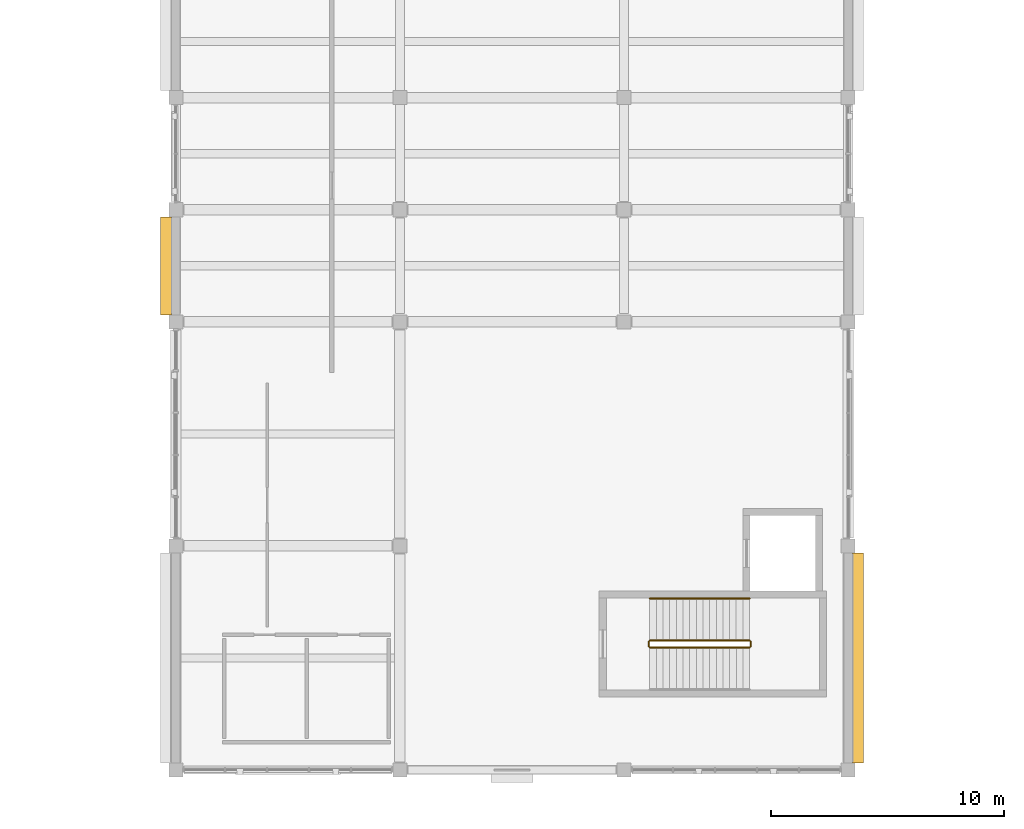
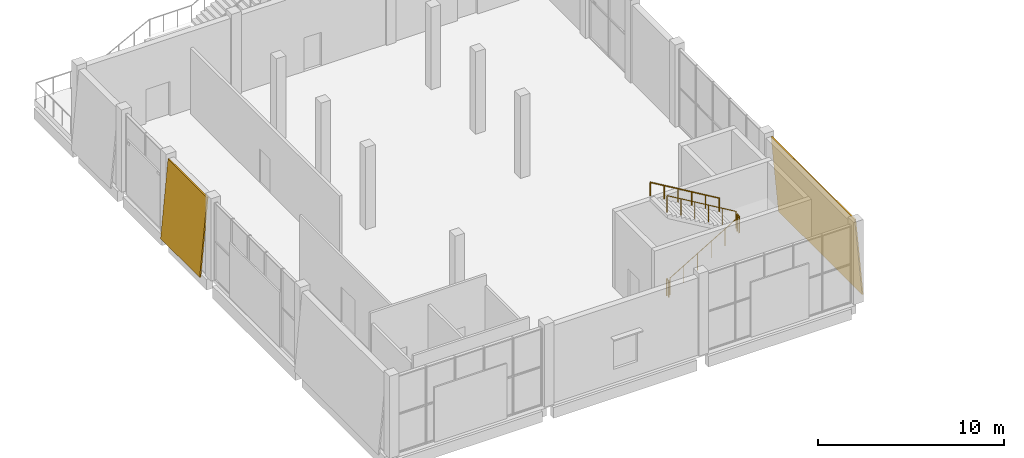
# One storey, part 71 of 83: 5 railings, 2 coverings.
"""IFC4 building model written with IfcOpenShell, lengths in metres."""

from ifc_helpers import new_model, si_unit, direction, frame, origin, origin_2d, place, context, subcontext, project, spatial, polyline, circle, outline, extrude, material, layer, layer_set, type_object, element, save


model = new_model("IFC4")

# Units and contexts
model_context = context("Model", 3, precision=1e-05, world=origin(), true_north=direction((0.0, 1.0)))
body_context = subcontext(model_context, "Body", "Model", "MODEL_VIEW")
ifc_project = project(units=[si_unit("LENGTHUNIT", "METRE"), si_unit("AREAUNIT", "SQUARE_METRE"), si_unit("VOLUMEUNIT", "CUBIC_METRE"), si_unit("PLANEANGLEUNIT", "RADIAN"), si_unit("MASSUNIT", "GRAM", prefix="KILO")], contexts=[model_context])

# Site, building, storey
site_placement = place(None, origin())
site = spatial("IfcSite", under=ifc_project, at=site_placement, CompositionType="ELEMENT")
building_placement = place(site_placement, origin())
building = spatial("IfcBuilding", under=site, at=building_placement, Name="Shalvenor Court Art Gallery", CompositionType="ELEMENT")
storey_placement = place(building_placement, frame((0.0, 0.0, 6.0)))
storey = spatial("IfcBuildingStorey", under=building, at=storey_placement, Name="L01", CompositionType="ELEMENT", Elevation=6.0)

# Coverings
ifc_material_1 = material(Name="Pale Mediterranean limestone cladding", Category="masonry")
ifc_layer = layer(ifc_material_1, 0.080078125, Name="Pale Mediterranean limestone cladding")
ifc_layer_set = layer_set([ifc_layer], Name="Pale Mediterranean limestone cladding")
covering_type = type_object("IfcCoveringType", Name="CLD-01", PredefinedType="CLADDING", material=ifc_layer_set)
covering_1_placement = place(storey_placement, frame((125.452392578125, 0.300048828125, 0.0), z_axis=(0.0, 0.0, 1.0), x_axis=(0.0, 1.0, 0.0)))
element("IfcCovering", 1, at=covering_1_placement, inside=storey, type_object=covering_type, Name="L01 V3 Tapered Limestone Cladding 48", PredefinedType="CLADDING", context=body_context, shape_type="SweptSolid", body=[
    extrude(outline(polyline([(0.0, 0.0), (9.0, 0.0), (9.0, 5.10107421875), (0.0, 5.10107421875), (0.0, 0.0)])), frame((0.0, 0.0, 0.0), z_axis=(0.0, -0.995884398616, 0.090632580198), x_axis=(1.0, 0.0, 0.0)), (0.0, 0.090632580198, -0.995884398616), 0.080322265625),
])
covering_2_placement = place(storey_placement, frame((95.34765625, 23.699951171875, 0.0), z_axis=(0.0, 0.0, 1.0), x_axis=(0.0, -1.0, 0.0)))
element("IfcCovering", 2, at=covering_2_placement, inside=storey, type_object=covering_type, Name="L01 V3 Tapered Limestone Cladding 50", PredefinedType="CLADDING", context=body_context, shape_type="SweptSolid", body=[
    extrude(outline(polyline([(0.0, 0.0), (4.199951171875, 0.0), (4.199951171875, 5.10107421875), (0.0, 5.10107421875), (0.0, 0.0)])), frame((0.0, 0.0, 0.0), z_axis=(0.0, -0.995884398616, 0.090632580198), x_axis=(1.0, 0.0, 0.0)), (0.0, 0.090632580198, -0.995884398616), 0.080322265625),
])

# Railings
ifc_material_2 = material(Name="Painted steel post-and-rail guard", Category="steel")
railing_type_1 = type_object("IfcRailingType", Name="GR-02", PredefinedType="GUARDRAIL", material=ifc_material_2)
railing_1_placement = place(storey_placement, frame((116.300048828125, 5.25, 0.168701171875)))
element("IfcRailing", 3, at=railing_1_placement, inside=storey, type_object=railing_type_1, Name="L01 ST-04 Stair Guard 1", PredefinedType="GUARDRAIL", context=body_context, shape_type="SweptSolid", body=[
    extrude(circle(Radius=0.02392578125, at=origin_2d()), frame((0.0, 0.0, 1.09619140625), z_axis=(0.860470286479, 0.0, 0.509500624227), x_axis=(0.0, 1.0, 0.0)), (0.0, 0.0, 1.0), 4.968017578125),
    extrude(circle(Radius=0.02099609375, at=origin_2d()), origin(), (0.0, 0.0, 1.0), 1.072021484375),
    extrude(circle(Radius=0.02099609375, at=origin_2d()), frame((0.85498046875, 0.0, 0.50634765625)), (0.0, 0.0, 1.0), 1.072021484375),
    extrude(circle(Radius=0.02099609375, at=origin_2d()), frame((1.7099609375, 0.0, 1.012451171875)), (0.0, 0.0, 1.0), 1.072021484375),
    extrude(circle(Radius=0.02099609375, at=origin_2d()), frame((2.56494140625, 0.0, 1.518798828125)), (0.0, 0.0, 1.0), 1.072021484375),
    extrude(circle(Radius=0.02099609375, at=origin_2d()), frame((3.419921875, 0.0, 2.02490234375)), (0.0, 0.0, 1.0), 1.072021484375),
    extrude(circle(Radius=0.02099609375, at=origin_2d()), frame((4.27490234375, 0.0, 2.53125)), (0.0, 0.0, 1.0), 1.072021484375),
])
railing_2_placement = place(storey_placement, frame((120.625, 5.300048828125, 2.699951171875)))
element("IfcRailing", 4, at=railing_2_placement, inside=storey, type_object=railing_type_1, Name="L01 ST-04 Stair Guard 2", PredefinedType="GUARDRAIL", context=body_context, shape_type="SweptSolid", body=[
    extrude(circle(Radius=0.02392578125, at=origin_2d()), frame((0.0, 0.0, 1.09619140625), z_axis=(0.0, 1.0, 0.0), x_axis=(-1.0, 0.0, 0.0)), (0.0, 0.0, 1.0), 0.199951171875),
    extrude(circle(Radius=0.02099609375, at=origin_2d()), origin(), (0.0, 0.0, 1.0), 1.072021484375),
    extrude(circle(Radius=0.02099609375, at=origin_2d()), frame((0.0, 0.199951171875, 0.0)), (0.0, 0.0, 1.0), 1.072021484375),
])
railing_3_placement = place(storey_placement, frame((120.574951171875, 5.550048828125, 2.86865234375)))
element("IfcRailing", 5, at=railing_3_placement, inside=storey, type_object=railing_type_1, Name="L01 ST-04 Stair Guard 3", PredefinedType="GUARDRAIL", context=body_context, shape_type="SweptSolid", body=[
    extrude(circle(Radius=0.02392578125, at=origin_2d()), frame((0.0, 0.0, 1.09619140625), z_axis=(-0.860470286479, 0.0, 0.509500624227), x_axis=(0.0, -1.0, 0.0)), (0.0, 0.0, 1.0), 4.968017578125),
    extrude(circle(Radius=0.02099609375, at=origin_2d()), origin(), (0.0, 0.0, 1.0), 1.072021484375),
    extrude(circle(Radius=0.02099609375, at=origin_2d()), frame((-0.85498046875, 0.0, 0.50634765625)), (0.0, 0.0, 1.0), 1.072021484375),
    extrude(circle(Radius=0.02099609375, at=origin_2d()), frame((-1.7099609375, 0.0, 1.012451171875)), (0.0, 0.0, 1.0), 1.072021484375),
    extrude(circle(Radius=0.02099609375, at=origin_2d()), frame((-2.56494140625, 0.0, 1.518798828125)), (0.0, 0.0, 1.0), 1.072021484375),
    extrude(circle(Radius=0.02099609375, at=origin_2d()), frame((-3.419921875, 0.0, 2.02490234375)), (0.0, 0.0, 1.0), 1.072021484375),
    extrude(circle(Radius=0.02099609375, at=origin_2d()), frame((-4.27490234375, 0.0, 2.53125)), (0.0, 0.0, 1.0), 1.072021484375),
])
railing_4_placement = place(storey_placement, frame((116.25, 5.300048828125, 0.0)))
element("IfcRailing", 6, at=railing_4_placement, inside=storey, type_object=railing_type_1, Name="L01 ST-04 Stair Guard 4", PredefinedType="GUARDRAIL", context=body_context, shape_type="SweptSolid", body=[
    extrude(circle(Radius=0.02392578125, at=origin_2d()), frame((0.0, 0.0, 1.09619140625), z_axis=(0.0, 1.0, 0.0), x_axis=(-1.0, 0.0, 0.0)), (0.0, 0.0, 1.0), 0.199951171875),
    extrude(circle(Radius=0.02099609375, at=origin_2d()), origin(), (0.0, 0.0, 1.0), 1.072021484375),
    extrude(circle(Radius=0.02099609375, at=origin_2d()), frame((0.0, 0.199951171875, 0.0)), (0.0, 0.0, 1.0), 1.072021484375),
])
ifc_material_3 = material(Name="Brushed stainless steel handrail", Category="steel")
railing_type_2 = type_object("IfcRailingType", Name="HR-01", PredefinedType="HANDRAIL", material=ifc_material_3)
railing_5_placement = place(storey_placement, frame((120.574951171875, 7.35009765625, 2.86865234375)))
element("IfcRailing", 7, at=railing_5_placement, inside=storey, type_object=railing_type_2, Name="L01 ST-04 Stair Handrail 2", PredefinedType="HANDRAIL", context=body_context, shape_type="SweptSolid", body=[
    extrude(circle(Radius=0.02392578125, at=origin_2d()), frame((0.0, 0.0, 0.8759765625), z_axis=(-0.860470286479, 0.0, 0.509500624227), x_axis=(0.0, -1.0, 0.0)), (0.0, 0.0, 1.0), 4.968017578125),
    extrude(circle(Radius=0.02099609375, at=origin_2d()), origin(), (0.0, 0.0, 1.0), 0.851806640625),
    extrude(circle(Radius=0.02099609375, at=origin_2d()), frame((-0.85498046875, 0.0, 0.50634765625)), (0.0, 0.0, 1.0), 0.851806640625),
    extrude(circle(Radius=0.02099609375, at=origin_2d()), frame((-1.7099609375, 0.0, 1.012451171875)), (0.0, 0.0, 1.0), 0.851806640625),
    extrude(circle(Radius=0.02099609375, at=origin_2d()), frame((-2.56494140625, 0.0, 1.518798828125)), (0.0, 0.0, 1.0), 0.851806640625),
    extrude(circle(Radius=0.02099609375, at=origin_2d()), frame((-3.419921875, 0.0, 2.02490234375)), (0.0, 0.0, 1.0), 0.851806640625),
    extrude(circle(Radius=0.02099609375, at=origin_2d()), frame((-4.27490234375, 0.0, 2.53125)), (0.0, 0.0, 1.0), 0.851806640625),
])

save(model, "model.ifc")
